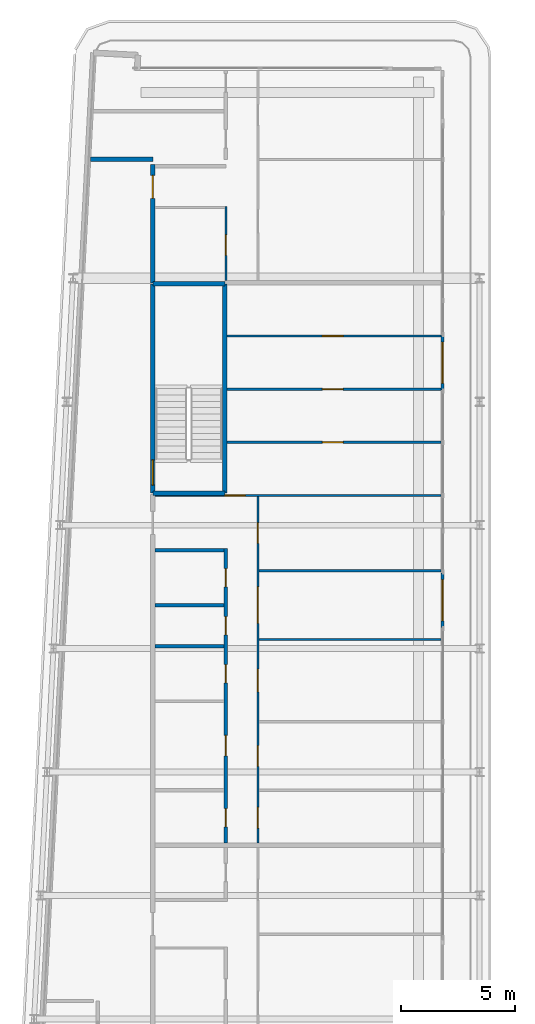
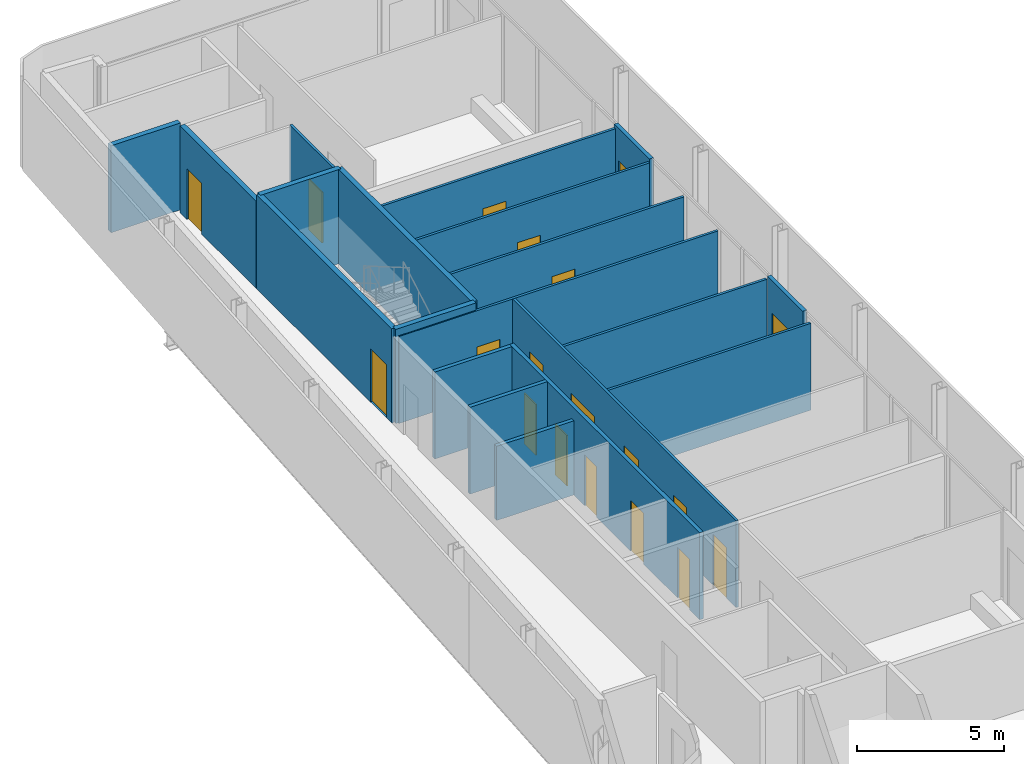
# One storey, part 14 of 21: 20 walls, 19 doors, 19 openings.
"""IFC4 building model written with IfcOpenShell, lengths in metres."""

from ifc_helpers import new_model, si_unit, direction, frame, frame_2d, origin, place, context, subcontext, project, spatial, rectangle, extrude, source, transform, mapped, material, layer, layer_set, type_object, element, fill, save


model = new_model("IFC4")

# Units and contexts
model_context = context("Model", 3, precision=1e-05, world=origin(), true_north=direction((0.0, 1.0)))
body_context = subcontext(model_context, "Body", "Model", "MODEL_VIEW")
ifc_project = project(units=[si_unit("LENGTHUNIT", "METRE"), si_unit("AREAUNIT", "SQUARE_METRE"), si_unit("VOLUMEUNIT", "CUBIC_METRE"), si_unit("PLANEANGLEUNIT", "RADIAN"), si_unit("MASSUNIT", "GRAM", prefix="KILO")], contexts=[model_context])

# Site, building, storey
site_placement = place(None, origin())
site = spatial("IfcSite", under=ifc_project, at=site_placement, CompositionType="ELEMENT")
building_placement = place(site_placement, origin())
building = spatial("IfcBuilding", under=site, at=building_placement, Name="Kheshtan School and Residences Tower", CompositionType="ELEMENT")
storey_placement = place(building_placement, frame((0.0, 0.0, 290.300048828125)))
storey = spatial("IfcBuildingStorey", under=building, at=storey_placement, Name="L68", CompositionType="ELEMENT", Elevation=290.300048828125)

# Wall
ifc_material_1 = material(Name="Gypsum board on steel studs with fire boards", Category="steel")
ifc_layer_1 = layer(ifc_material_1, 0.199951171875)
ifc_layer_set_1 = layer_set([ifc_layer_1], Name="Corridor wall 200")
wall_type_1 = type_object("IfcWallType", Name="Corridor wall 200", PredefinedType="PARTITIONING", material=ifc_layer_set_1)
wall_1_placement = place(storey_placement, frame((30.584716796875, 94.0, 0.0), z_axis=(0.0, 0.0, 1.0), x_axis=(1.0, 0.0, 0.0)))
element("IfcWall", 1, at=wall_1_placement, inside=storey, type_object=wall_type_1, Name="Partition L68-002", PredefinedType="PARTITIONING", context=body_context, shape_type="SweptSolid", body=[
    extrude(rectangle(XDim=2.71533203125, YDim=0.199951171875, at=frame_2d((1.357666015625, 0.0))), origin(), (0.0, 0.0, 1.0), 3.599853515625),
])

# Wall, opening, door
wall_2_placement = place(storey_placement, frame((33.300048828125, 88.60009765625, 0.0), z_axis=(0.0, 0.0, 1.0), x_axis=(0.0, 1.0, 0.0)))
wall_2 = element("IfcWall", 2, at=wall_2_placement, inside=storey, type_object=wall_type_1, Name="Partition L68-004", PredefinedType="PARTITIONING", context=body_context, shape_type="SweptSolid", body=[
    extrude(rectangle(XDim=5.1748046875, YDim=0.199951171875, at=frame_2d((2.58740234375, 0.0))), origin(), (0.0, 0.0, 1.0), 3.599853515625),
])
opening_1_placement = place(wall_2_placement, frame((3.699951171875, 0.0, 0.0)))
opening_1 = element("IfcOpeningElement", 3, at=opening_1_placement, cuts=wall_2, Name="Opening D68-033", PredefinedType="OPENING", context=body_context, shape_type="SweptSolid", body=[
    extrude(rectangle(XDim=1.0, YDim=2.10009765625, at=frame_2d((0.5, 1.050048828125))), frame((0.0, 0.10986328125, 0.0), z_axis=(0.0, -1.0, 0.0), x_axis=(1.0, 0.0, 0.0)), (0.0, 0.0, 1.0), 0.219970703125),
])
ifc_material_2 = material(Name="Steel-framed fire-resisting door leaf", Category="steel")
door_type_1 = type_object("IfcDoorType", Name="Fire door FD30S 1000 x 2100", OperationType="SINGLE_SWING_LEFT", PredefinedType="DOOR", material=ifc_material_2)
shared_shape_1 = source(origin(), body_context, "Body", "SweptSolid", [
    extrude(rectangle(XDim=1.0, YDim=2.10009765625, at=frame_2d((0.5, 1.050048828125))), frame((0.0, 0.02490234375, 0.0), z_axis=(0.0, -1.0, 0.0), x_axis=(1.0, 0.0, 0.0)), (0.0, 0.0, 1.0), 0.050048828125),
])
door_1_placement = place(opening_1_placement, origin())
door_1 = element("IfcDoor", 4, at=door_1_placement, inside=storey, type_object=door_type_1, Name="Door D68-033", OperationType="SINGLE_SWING_RIGHT", OverallHeight=2.10009765625, OverallWidth=1.0, PredefinedType="DOOR", context=body_context, shape_type="MappedRepresentation", body=[
    mapped(shared_shape_1, transform((0.0, 0.0, 0.0), x_axis=(1.0, 0.0, 0.0), y_axis=(0.0, 1.0, 0.0), z_axis=(0.0, 0.0, 1.0), scale=1.0)),
])
fill(opening_1, door_1)

ifc_material_3 = material(Name="Aluminium frame wall with insulated infill", Category="aluminium")
ifc_layer_2 = layer(ifc_material_3, 0.14990234375)
ifc_layer_set_2 = layer_set([ifc_layer_2], Name="Glazing frame wall 150")
wall_type_2 = type_object("IfcWallType", Name="Glazing frame wall 150", PredefinedType="SOLIDWALL", material=ifc_layer_set_2)
wall_3_placement = place(storey_placement, frame((45.97509765625, 86.305908203125, 0.0), z_axis=(0.0, 0.0, 1.0), x_axis=(0.0, -1.0, 0.0)))
wall_3 = element("IfcWall", 5, at=wall_3_placement, inside=storey, type_object=wall_type_2, Name="Balcony door wall L68 8.2", PredefinedType="SOLIDWALL", context=body_context, shape_type="SweptSolid", body=[
    extrude(rectangle(XDim=2.39990234375, YDim=0.14990234375, at=frame_2d((1.199951171875, 0.0))), origin(), (0.0, 0.0, 1.0), 3.75),
])
opening_2_placement = place(wall_3_placement, frame((0.300048828125, 0.0, 0.0)))
opening_2 = element("IfcOpeningElement", 6, at=opening_2_placement, cuts=wall_3, Name="Opening BD", PredefinedType="OPENING", context=body_context, shape_type="SweptSolid", body=[
    extrude(rectangle(XDim=1.800048828125, YDim=2.39990234375, at=frame_2d((0.89990234375, 1.199951171875))), frame((0.0, 0.0849609375, 0.0), z_axis=(0.0, -1.0, 0.0), x_axis=(1.0, 0.0, 0.0)), (0.0, 0.0, 1.0), 0.169921875),
])
ifc_material_4 = material(Name="Clear low-e glass in thermally broken aluminium frame", Category="aluminium")
door_type_2 = type_object("IfcDoorType", Name="Balcony sliding door", OperationType="SLIDING_TO_LEFT", PredefinedType="DOOR", material=ifc_material_4)
shared_shape_2 = source(origin(), body_context, "Body", "SweptSolid", [
    extrude(rectangle(XDim=1.800048828125, YDim=2.39990234375, at=frame_2d((0.89990234375, 1.199951171875))), frame((0.0, 0.02490234375, 0.0), z_axis=(0.0, -1.0, 0.0), x_axis=(1.0, 0.0, 0.0)), (0.0, 0.0, 1.0), 0.050048828125),
])
door_2_placement = place(opening_2_placement, origin())
door_2 = element("IfcDoor", 7, at=door_2_placement, inside=storey, type_object=door_type_2, Name="Balcony door L68 8.2", OperationType="SLIDING_TO_LEFT", OverallHeight=2.39990234375, OverallWidth=1.800048828125, PredefinedType="DOOR", context=body_context, shape_type="MappedRepresentation", body=[
    mapped(shared_shape_2, transform((0.0, 0.0, 0.0), x_axis=(1.0, 0.0, 0.0), y_axis=(0.0, 1.0, 0.0), z_axis=(0.0, 0.0, 1.0), scale=1.0)),
])
fill(opening_2, door_2)

wall_4_placement = place(storey_placement, frame((45.97509765625, 75.912109375, 0.0), z_axis=(0.0, 0.0, 1.0), x_axis=(0.0, -1.0, 0.0)))
wall_4 = element("IfcWall", 8, at=wall_4_placement, inside=storey, type_object=wall_type_2, Name="Balcony door wall L68 8.3", PredefinedType="SOLIDWALL", context=body_context, shape_type="SweptSolid", body=[
    extrude(rectangle(XDim=2.400146484375, YDim=0.14990234375, at=frame_2d((1.2001953125, 0.0))), origin(), (0.0, 0.0, 1.0), 3.75),
])
opening_3_placement = place(wall_4_placement, frame((0.300048828125, 0.0, 0.0)))
opening_3 = element("IfcOpeningElement", 9, at=opening_3_placement, cuts=wall_4, Name="Opening BD", PredefinedType="OPENING", context=body_context, shape_type="SweptSolid", body=[
    extrude(rectangle(XDim=1.800048828125, YDim=2.39990234375, at=frame_2d((0.89990234375, 1.199951171875))), frame((0.0, 0.0849609375, 0.0), z_axis=(0.0, -1.0, 0.0), x_axis=(1.0, 0.0, 0.0)), (0.0, 0.0, 1.0), 0.169921875),
])
door_3_placement = place(opening_3_placement, origin())
door_3 = element("IfcDoor", 10, at=door_3_placement, inside=storey, type_object=door_type_2, Name="Balcony door L68 8.3", OperationType="SLIDING_TO_LEFT", OverallHeight=2.39990234375, OverallWidth=1.800048828125, PredefinedType="DOOR", context=body_context, shape_type="MappedRepresentation", body=[
    mapped(shared_shape_2, transform((0.0, 0.0, 0.0), x_axis=(1.0, 0.0, 0.0), y_axis=(0.0, 1.0, 0.0), z_axis=(0.0, 0.0, 1.0), scale=1.0)),
])
fill(opening_3, door_3)

ifc_material_5 = material(Name="Gypsum board on steel studs", Category="steel")
ifc_layer_3 = layer(ifc_material_5, 0.10009765625)
ifc_layer_set_3 = layer_set([ifc_layer_3], Name="Gypsum partition 100")
wall_type_3 = type_object("IfcWallType", Name="Gypsum partition 100", PredefinedType="PARTITIONING", material=ifc_layer_set_3)
wall_5_placement = place(storey_placement, frame((33.39990234375, 79.300048828125, 0.0), z_axis=(0.0, 0.0, 1.0), x_axis=(1.0, 0.0, 0.0)))
wall_5 = element("IfcWall", 11, at=wall_5_placement, inside=storey, type_object=wall_type_3, Name="Partition L68-015", PredefinedType="PARTITIONING", context=body_context, shape_type="SweptSolid", body=[
    extrude(rectangle(XDim=12.5, YDim=0.10009765625, at=frame_2d((6.25, 0.0))), origin(), (0.0, 0.0, 1.0), 3.599853515625),
])
opening_4_placement = place(wall_5_placement, frame((3.052978515625, 0.0, 0.0)))
opening_4 = element("IfcOpeningElement", 12, at=opening_4_placement, cuts=wall_5, Name="Opening D68-027", PredefinedType="OPENING", context=body_context, shape_type="SweptSolid", body=[
    extrude(rectangle(XDim=0.89990234375, YDim=2.10009765625, at=frame_2d((0.449951171875, 1.050048828125))), frame((0.0, 0.06005859375, 0.0), z_axis=(0.0, -1.0, 0.0), x_axis=(1.0, 0.0, 0.0)), (0.0, 0.0, 1.0), 0.1201171875),
])
ifc_material_6 = material(Name="Veneered timber door leaf", Category="wood")
door_type_3 = type_object("IfcDoorType", Name="Door 900 x 2100", OperationType="SINGLE_SWING_LEFT", PredefinedType="DOOR", material=ifc_material_6)
shared_shape_3 = source(origin(), body_context, "Body", "SweptSolid", [
    extrude(rectangle(XDim=0.89990234375, YDim=2.10009765625, at=frame_2d((0.449951171875, 1.050048828125))), frame((0.0, 0.02490234375, 0.0), z_axis=(0.0, -1.0, 0.0), x_axis=(1.0, 0.0, 0.0)), (0.0, 0.0, 1.0), 0.050048828125),
])
door_4_placement = place(opening_4_placement, origin())
door_4 = element("IfcDoor", 13, at=door_4_placement, inside=storey, type_object=door_type_3, Name="Door D68-027", OperationType="SINGLE_SWING_LEFT", OverallHeight=2.10009765625, OverallWidth=0.89990234375, PredefinedType="DOOR", context=body_context, shape_type="MappedRepresentation", body=[
    mapped(shared_shape_3, transform((0.0, 0.0, 0.0), x_axis=(1.0, 0.0, 0.0), y_axis=(0.0, 1.0, 0.0), z_axis=(0.0, 0.0, 1.0), scale=1.0)),
])
fill(opening_4, door_4)

wall_6_placement = place(storey_placement, frame((36.5, 88.699951171875, 0.0), z_axis=(0.0, 0.0, 1.0), x_axis=(0.0, 1.0, 0.0)))
wall_6 = element("IfcWall", 14, at=wall_6_placement, inside=storey, type_object=wall_type_3, Name="Partition L68-025", PredefinedType="PARTITIONING", context=body_context, shape_type="SweptSolid", body=[
    extrude(rectangle(XDim=3.25, YDim=0.10009765625, at=frame_2d((1.625, 0.0))), origin(), (0.0, 0.0, 1.0), 3.599853515625),
])
opening_5_placement = place(wall_6_placement, frame((1.10009765625, 0.0, 0.0)))
opening_5 = element("IfcOpeningElement", 15, at=opening_5_placement, cuts=wall_6, Name="Opening D68-034", PredefinedType="OPENING", context=body_context, shape_type="SweptSolid", body=[
    extrude(rectangle(XDim=0.89990234375, YDim=2.10009765625, at=frame_2d((0.449951171875, 1.050048828125))), frame((0.0, 0.06005859375, 0.0), z_axis=(0.0, -1.0, 0.0), x_axis=(1.0, 0.0, 0.0)), (0.0, 0.0, 1.0), 0.1201171875),
])
door_5_placement = place(opening_5_placement, origin())
door_5 = element("IfcDoor", 16, at=door_5_placement, inside=storey, type_object=door_type_3, Name="Door D68-034", OperationType="SINGLE_SWING_LEFT", OverallHeight=2.10009765625, OverallWidth=0.89990234375, PredefinedType="DOOR", context=body_context, shape_type="MappedRepresentation", body=[
    mapped(shared_shape_3, transform((0.0, 0.0, 0.0), x_axis=(1.0, 0.0, 0.0), y_axis=(0.0, 1.0, 0.0), z_axis=(0.0, 0.0, 1.0), scale=1.0)),
])
fill(opening_5, door_5)

wall_7_placement = place(storey_placement, frame((36.549072265625, 81.625, 0.0), z_axis=(0.0, 0.0, 1.0), x_axis=(1.0, 0.0, 0.0)))
wall_7 = element("IfcWall", 17, at=wall_7_placement, inside=storey, type_object=wall_type_3, Name="Partition L68-027", PredefinedType="PARTITIONING", context=body_context, shape_type="SweptSolid", body=[
    extrude(rectangle(XDim=9.350830078125, YDim=0.10009765625, at=frame_2d((4.67529296875, 0.0))), origin(), (0.0, 0.0, 1.0), 3.599853515625),
])
opening_6_placement = place(wall_7_placement, frame((4.176025390625, 0.0, 0.0)))
opening_6 = element("IfcOpeningElement", 18, at=opening_6_placement, cuts=wall_7, Name="Opening D68-028", PredefinedType="OPENING", context=body_context, shape_type="SweptSolid", body=[
    extrude(rectangle(XDim=0.89990234375, YDim=2.10009765625, at=frame_2d((0.449951171875, 1.050048828125))), frame((0.0, 0.06005859375, 0.0), z_axis=(0.0, -1.0, 0.0), x_axis=(1.0, 0.0, 0.0)), (0.0, 0.0, 1.0), 0.1201171875),
])
door_6_placement = place(opening_6_placement, origin())
door_6 = element("IfcDoor", 19, at=door_6_placement, inside=storey, type_object=door_type_3, Name="Door D68-028", OperationType="SINGLE_SWING_RIGHT", OverallHeight=2.10009765625, OverallWidth=0.89990234375, PredefinedType="DOOR", context=body_context, shape_type="MappedRepresentation", body=[
    mapped(shared_shape_3, transform((0.0, 0.0, 0.0), x_axis=(1.0, 0.0, 0.0), y_axis=(0.0, 1.0, 0.0), z_axis=(0.0, 0.0, 1.0), scale=1.0)),
])
fill(opening_6, door_6)

wall_8_placement = place(storey_placement, frame((36.549072265625, 83.949951171875, 0.0), z_axis=(0.0, 0.0, 1.0), x_axis=(1.0, 0.0, 0.0)))
wall_8 = element("IfcWall", 20, at=wall_8_placement, inside=storey, type_object=wall_type_3, Name="Partition L68-028", PredefinedType="PARTITIONING", context=body_context, shape_type="SweptSolid", body=[
    extrude(rectangle(XDim=9.350830078125, YDim=0.10009765625, at=frame_2d((4.67529296875, 0.0))), origin(), (0.0, 0.0, 1.0), 3.599853515625),
])
opening_7_placement = place(wall_8_placement, frame((4.176025390625, 0.0, 0.0)))
opening_7 = element("IfcOpeningElement", 21, at=opening_7_placement, cuts=wall_8, Name="Opening D68-029", PredefinedType="OPENING", context=body_context, shape_type="SweptSolid", body=[
    extrude(rectangle(XDim=0.89990234375, YDim=2.10009765625, at=frame_2d((0.449951171875, 1.050048828125))), frame((0.0, 0.06005859375, 0.0), z_axis=(0.0, -1.0, 0.0), x_axis=(1.0, 0.0, 0.0)), (0.0, 0.0, 1.0), 0.1201171875),
])
door_7_placement = place(opening_7_placement, origin())
door_7 = element("IfcDoor", 22, at=door_7_placement, inside=storey, type_object=door_type_3, Name="Door D68-029", OperationType="SINGLE_SWING_RIGHT", OverallHeight=2.10009765625, OverallWidth=0.89990234375, PredefinedType="DOOR", context=body_context, shape_type="MappedRepresentation", body=[
    mapped(shared_shape_3, transform((0.0, 0.0, 0.0), x_axis=(1.0, 0.0, 0.0), y_axis=(0.0, 1.0, 0.0), z_axis=(0.0, 0.0, 1.0), scale=1.0)),
])
fill(opening_7, door_7)

wall_9_placement = place(storey_placement, frame((36.549072265625, 86.27490234375, 0.0), z_axis=(0.0, 0.0, 1.0), x_axis=(1.0, 0.0, 0.0)))
wall_9 = element("IfcWall", 23, at=wall_9_placement, inside=storey, type_object=wall_type_3, Name="Partition L68-029", PredefinedType="PARTITIONING", context=body_context, shape_type="SweptSolid", body=[
    extrude(rectangle(XDim=9.350830078125, YDim=0.10009765625, at=frame_2d((4.67529296875, 0.0))), origin(), (0.0, 0.0, 1.0), 3.599853515625),
])
opening_8_placement = place(wall_9_placement, frame((4.176025390625, 0.0, 0.0)))
opening_8 = element("IfcOpeningElement", 24, at=opening_8_placement, cuts=wall_9, Name="Opening D68-030", PredefinedType="OPENING", context=body_context, shape_type="SweptSolid", body=[
    extrude(rectangle(XDim=0.89990234375, YDim=2.10009765625, at=frame_2d((0.449951171875, 1.050048828125))), frame((0.0, 0.06005859375, 0.0), z_axis=(0.0, -1.0, 0.0), x_axis=(1.0, 0.0, 0.0)), (0.0, 0.0, 1.0), 0.1201171875),
])
door_8_placement = place(opening_8_placement, origin())
door_8 = element("IfcDoor", 25, at=door_8_placement, inside=storey, type_object=door_type_3, Name="Door D68-030", OperationType="SINGLE_SWING_RIGHT", OverallHeight=2.10009765625, OverallWidth=0.89990234375, PredefinedType="DOOR", context=body_context, shape_type="MappedRepresentation", body=[
    mapped(shared_shape_3, transform((0.0, 0.0, 0.0), x_axis=(1.0, 0.0, 0.0), y_axis=(0.0, 1.0, 0.0), z_axis=(0.0, 0.0, 1.0), scale=1.0)),
])
fill(opening_8, door_8)

# Wall, openings, doors
wall_10_placement = place(storey_placement, frame((37.89990234375, 64.10009765625, 0.0), z_axis=(0.0, 0.0, 1.0), x_axis=(0.0, 1.0, 0.0)))
wall_10 = element("IfcWall", 26, at=wall_10_placement, inside=storey, type_object=wall_type_3, Name="Partition L68-031", PredefinedType="PARTITIONING", context=body_context, shape_type="SweptSolid", body=[
    extrude(rectangle(XDim=15.14990234375, YDim=0.10009765625, at=frame_2d((7.574951171875, 0.0))), origin(), (0.0, 0.0, 1.0), 3.599853515625),
])
opening_9_placement = place(wall_10_placement, frame((0.64990234375, 0.0, 0.0)))
opening_9 = element("IfcOpeningElement", 27, at=opening_9_placement, cuts=wall_10, Name="Opening D68-018", PredefinedType="OPENING", context=body_context, shape_type="SweptSolid", body=[
    extrude(rectangle(XDim=0.89990234375, YDim=2.10009765625, at=frame_2d((0.449951171875, 1.050048828125))), frame((0.0, 0.06005859375, 0.0), z_axis=(0.0, -1.0, 0.0), x_axis=(1.0, 0.0, 0.0)), (0.0, 0.0, 1.0), 0.1201171875),
])
opening_10_placement = place(wall_10_placement, frame((3.35009765625, 0.0, 0.0)))
opening_10 = element("IfcOpeningElement", 28, at=opening_10_placement, cuts=wall_10, Name="Opening D68-019", PredefinedType="OPENING", context=body_context, shape_type="SweptSolid", body=[
    extrude(rectangle(XDim=0.89990234375, YDim=2.10009765625, at=frame_2d((0.449951171875, 1.050048828125))), frame((0.0, 0.06005859375, 0.0), z_axis=(0.0, -1.0, 0.0), x_axis=(1.0, 0.0, 0.0)), (0.0, 0.0, 1.0), 0.1201171875),
])
opening_11_placement = place(wall_10_placement, frame((6.60009765625, 0.0, 0.0)))
opening_11 = element("IfcOpeningElement", 29, at=opening_11_placement, cuts=wall_10, Name="Opening D68-023", PredefinedType="OPENING", context=body_context, shape_type="SweptSolid", body=[
    extrude(rectangle(XDim=1.0, YDim=2.10009765625, at=frame_2d((0.5, 1.050048828125))), frame((0.0, 0.06005859375, 0.0), z_axis=(0.0, -1.0, 0.0), x_axis=(1.0, 0.0, 0.0)), (0.0, 0.0, 1.0), 0.1201171875),
])
opening_12_placement = place(wall_10_placement, frame((9.60009765625, 0.0, 0.0)))
opening_12 = element("IfcOpeningElement", 30, at=opening_12_placement, cuts=wall_10, Name="Opening D68-024", PredefinedType="OPENING", context=body_context, shape_type="SweptSolid", body=[
    extrude(rectangle(XDim=1.60009765625, YDim=2.10009765625, at=frame_2d((0.800048828125, 1.050048828125))), frame((0.0, 0.06005859375, 0.0), z_axis=(0.0, -1.0, 0.0), x_axis=(1.0, 0.0, 0.0)), (0.0, 0.0, 1.0), 0.1201171875),
])
opening_13_placement = place(wall_10_placement, frame((13.10009765625, 0.0, 0.0)))
opening_13 = element("IfcOpeningElement", 31, at=opening_13_placement, cuts=wall_10, Name="Opening D68-025", PredefinedType="OPENING", context=body_context, shape_type="SweptSolid", body=[
    extrude(rectangle(XDim=0.89990234375, YDim=2.10009765625, at=frame_2d((0.449951171875, 1.050048828125))), frame((0.0, 0.06005859375, 0.0), z_axis=(0.0, -1.0, 0.0), x_axis=(1.0, 0.0, 0.0)), (0.0, 0.0, 1.0), 0.1201171875),
])
door_type_4 = type_object("IfcDoorType", Name="Door 1000 x 2100", OperationType="SINGLE_SWING_LEFT", PredefinedType="DOOR", material=ifc_material_6)
shared_shape_4 = source(origin(), body_context, "Body", "SweptSolid", [
    extrude(rectangle(XDim=1.0, YDim=2.10009765625, at=frame_2d((0.5, 1.050048828125))), frame((0.0, 0.02490234375, 0.0), z_axis=(0.0, -1.0, 0.0), x_axis=(1.0, 0.0, 0.0)), (0.0, 0.0, 1.0), 0.050048828125),
])
door_9_placement = place(opening_11_placement, origin())
door_9 = element("IfcDoor", 32, at=door_9_placement, inside=storey, type_object=door_type_4, Name="Door D68-023", OperationType="SINGLE_SWING_LEFT", OverallHeight=2.10009765625, OverallWidth=1.0, PredefinedType="DOOR", context=body_context, shape_type="MappedRepresentation", body=[
    mapped(shared_shape_4, transform((0.0, 0.0, 0.0), x_axis=(1.0, 0.0, 0.0), y_axis=(0.0, 1.0, 0.0), z_axis=(0.0, 0.0, 1.0), scale=1.0)),
])
fill(opening_11, door_9)
door_10_placement = place(opening_9_placement, origin())
door_10 = element("IfcDoor", 33, at=door_10_placement, inside=storey, type_object=door_type_3, Name="Door D68-018", OperationType="SINGLE_SWING_RIGHT", OverallHeight=2.10009765625, OverallWidth=0.89990234375, PredefinedType="DOOR", context=body_context, shape_type="MappedRepresentation", body=[
    mapped(shared_shape_3, transform((0.0, 0.0, 0.0), x_axis=(1.0, 0.0, 0.0), y_axis=(0.0, 1.0, 0.0), z_axis=(0.0, 0.0, 1.0), scale=1.0)),
])
fill(opening_9, door_10)
door_11_placement = place(opening_10_placement, origin())
door_11 = element("IfcDoor", 34, at=door_11_placement, inside=storey, type_object=door_type_3, Name="Door D68-019", OperationType="SINGLE_SWING_LEFT", OverallHeight=2.10009765625, OverallWidth=0.89990234375, PredefinedType="DOOR", context=body_context, shape_type="MappedRepresentation", body=[
    mapped(shared_shape_3, transform((0.0, 0.0, 0.0), x_axis=(1.0, 0.0, 0.0), y_axis=(0.0, 1.0, 0.0), z_axis=(0.0, 0.0, 1.0), scale=1.0)),
])
fill(opening_10, door_11)
door_12_placement = place(opening_13_placement, origin())
door_12 = element("IfcDoor", 35, at=door_12_placement, inside=storey, type_object=door_type_3, Name="Door D68-025", OperationType="SINGLE_SWING_RIGHT", OverallHeight=2.10009765625, OverallWidth=0.89990234375, PredefinedType="DOOR", context=body_context, shape_type="MappedRepresentation", body=[
    mapped(shared_shape_3, transform((0.0, 0.0, 0.0), x_axis=(1.0, 0.0, 0.0), y_axis=(0.0, 1.0, 0.0), z_axis=(0.0, 0.0, 1.0), scale=1.0)),
])
fill(opening_13, door_12)
door_type_5 = type_object("IfcDoorType", Name="Double door 1600 x 2100", OperationType="DOUBLE_DOOR_SINGLE_SWING", PredefinedType="DOOR", material=ifc_material_6)
shared_shape_5 = source(origin(), body_context, "Body", "SweptSolid", [
    extrude(rectangle(XDim=1.60009765625, YDim=2.10009765625, at=frame_2d((0.800048828125, 1.050048828125))), frame((0.0, 0.02490234375, 0.0), z_axis=(0.0, -1.0, 0.0), x_axis=(1.0, 0.0, 0.0)), (0.0, 0.0, 1.0), 0.050048828125),
])
door_13_placement = place(opening_12_placement, origin())
door_13 = element("IfcDoor", 36, at=door_13_placement, inside=storey, type_object=door_type_5, Name="Door D68-024", OperationType="DOUBLE_DOOR_SINGLE_SWING", OverallHeight=2.10009765625, OverallWidth=1.60009765625, PredefinedType="DOOR", context=body_context, shape_type="MappedRepresentation", body=[
    mapped(shared_shape_5, transform((0.0, 0.0, 0.0), x_axis=(1.0, 0.0, 0.0), y_axis=(0.0, 1.0, 0.0), z_axis=(0.0, 0.0, 1.0), scale=1.0)),
])
fill(opening_12, door_13)

# Walls
for number, where, z_axis, x_axis, name in (
    (37, (37.949951171875, 73.0, 0.0), (0.0, 0.0, 1.0), (1.0, 0.0, 0.0), "Partition L68-036"),
    (38, (37.949951171875, 76.0, 0.0), (0.0, 0.0, 1.0), (1.0, 0.0, 0.0), "Partition L68-037"),
):
    element("IfcWall", number, at=place(storey_placement, frame(where, z_axis=z_axis, x_axis=x_axis)), inside=storey, type_object=wall_type_3, Name=name, PredefinedType="PARTITIONING", context=body_context, shape_type="SweptSolid", body=[
        extrude(rectangle(XDim=7.949951171875, YDim=0.10009765625, at=frame_2d((3.97509765625, 0.0))), origin(), (0.0, 0.0, 1.0), 3.599853515625),
    ])
ifc_material_7 = material(Name="Concrete C40/50", Category="concrete")
ifc_layer_4 = layer(ifc_material_7, 0.199951171875)
ifc_layer_set_4 = layer_set([ifc_layer_4], Name="Stair enclosure wall 200 Concrete C40/50")
wall_type_4 = type_object("IfcWallType", Name="Stair enclosure wall 200 Concrete C40/50", PredefinedType="SHEAR", material=ifc_layer_set_4)
for number, where, z_axis, x_axis, name in (
    (39, (33.300048828125, 79.39990234375, 0.0), (0.0, 0.0, 1.0), (1.0, 0.0, 0.0), "Stair enclosure wall ST3"),
    (40, (33.300048828125, 88.56005859375, 0.0), (0.0, 0.0, 1.0), (1.0, 0.0, 0.0), "Stair enclosure wall ST3"),
):
    element("IfcWall", number, at=place(storey_placement, frame(where, z_axis=z_axis, x_axis=x_axis)), inside=storey, type_object=wall_type_4, Name=name, PredefinedType="SHEAR", context=body_context, shape_type="SweptSolid", body=[
        extrude(rectangle(XDim=3.14990234375, YDim=0.199951171875, at=frame_2d((1.574951171875, 0.0))), origin(), (0.0, 0.0, 1.0), 3.89990234375),
    ])

# Wall, opening, door
wall_11_placement = place(storey_placement, frame((33.300048828125, 79.39990234375, 0.0), z_axis=(0.0, 0.0, 1.0), x_axis=(0.0, 1.0, 0.0)))
wall_11 = element("IfcWall", 41, at=wall_11_placement, inside=storey, type_object=wall_type_4, Name="Stair enclosure wall ST3", PredefinedType="SHEAR", context=body_context, shape_type="SweptSolid", body=[
    extrude(rectangle(XDim=9.16015625, YDim=0.199951171875, at=frame_2d((4.580078125, 0.0))), origin(), (0.0, 0.0, 1.0), 3.89990234375),
])
opening_14_placement = place(wall_11_placement, frame((0.35009765625, 0.0, 0.0)))
opening_14 = element("IfcOpeningElement", 42, at=opening_14_placement, cuts=wall_11, Name="Opening ST3D", PredefinedType="OPENING", context=body_context, shape_type="SweptSolid", body=[
    extrude(rectangle(XDim=1.10009765625, YDim=2.199951171875, at=frame_2d((0.550048828125, 1.10009765625))), frame((0.0, 0.10986328125, 0.0), z_axis=(0.0, -1.0, 0.0), x_axis=(1.0, 0.0, 0.0)), (0.0, 0.0, 1.0), 0.219970703125),
])
ifc_material_8 = material(Name="Steel door leaf, galvanised", Category="steel")
door_type_6 = type_object("IfcDoorType", Name="Stair door 1100 steel 90 min", OperationType="SINGLE_SWING_LEFT", PredefinedType="DOOR", material=ifc_material_8)
shared_shape_6 = source(origin(), body_context, "Body", "SweptSolid", [
    extrude(rectangle(XDim=1.10009765625, YDim=2.199951171875, at=frame_2d((0.550048828125, 1.10009765625))), frame((0.0, 0.02490234375, 0.0), z_axis=(0.0, -1.0, 0.0), x_axis=(1.0, 0.0, 0.0)), (0.0, 0.0, 1.0), 0.050048828125),
])
door_14_placement = place(opening_14_placement, origin())
door_14 = element("IfcDoor", 43, at=door_14_placement, inside=storey, type_object=door_type_6, Name="Stair ST3 door", OperationType="SINGLE_SWING_RIGHT", OverallHeight=2.199951171875, OverallWidth=1.10009765625, PredefinedType="DOOR", context=body_context, shape_type="MappedRepresentation", body=[
    mapped(shared_shape_6, transform((0.0, 0.0, 0.0), x_axis=(1.0, 0.0, 0.0), y_axis=(0.0, 1.0, 0.0), z_axis=(0.0, 0.0, 1.0), scale=1.0)),
])
fill(opening_14, door_14)

# Walls
wall_12_placement = place(storey_placement, frame((36.449951171875, 79.39990234375, 0.0), z_axis=(0.0, 0.0, 1.0), x_axis=(0.0, 1.0, 0.0)))
element("IfcWall", 44, at=wall_12_placement, inside=storey, type_object=wall_type_4, Name="Stair enclosure wall ST3", PredefinedType="SHEAR", context=body_context, shape_type="SweptSolid", body=[
    extrude(rectangle(XDim=9.16015625, YDim=0.199951171875, at=frame_2d((4.580078125, 0.0))), origin(), (0.0, 0.0, 1.0), 3.89990234375),
])
ifc_material_9 = material(Name="Moisture-resistant gypsum board on steel studs", Category="steel")
ifc_layer_5 = layer(ifc_material_9, 0.14990234375)
ifc_layer_set_5 = layer_set([ifc_layer_5], Name="Wet-room partition 150")
wall_type_5 = type_object("IfcWallType", Name="Wet-room partition 150", PredefinedType="PARTITIONING", material=ifc_layer_set_5)
wall_13_placement = place(storey_placement, frame((33.39990234375, 72.699951171875, 0.0), z_axis=(0.0, 0.0, 1.0), x_axis=(1.0, 0.0, 0.0)))
element("IfcWall", 45, at=wall_13_placement, inside=storey, type_object=wall_type_5, Name="Partition L68-012", PredefinedType="PARTITIONING", context=body_context, shape_type="SweptSolid", body=[
    extrude(rectangle(XDim=3.025146484375, YDim=0.14990234375, at=frame_2d((1.5126953125, 0.0))), origin(), (0.0, 0.0, 1.0), 3.072021484375),
])
for number, where, z_axis, x_axis, name in (
    (46, (33.39990234375, 74.5, 0.0), (0.0, 0.0, 1.0), (1.0, 0.0, 0.0), "Partition L68-013"),
    (47, (33.39990234375, 76.89990234375, 0.0), (0.0, 0.0, 1.0), (1.0, 0.0, 0.0), "Partition L68-014"),
):
    element("IfcWall", number, at=place(storey_placement, frame(where, z_axis=z_axis, x_axis=x_axis)), inside=storey, type_object=wall_type_5, Name=name, PredefinedType="PARTITIONING", context=body_context, shape_type="SweptSolid", body=[
        extrude(rectangle(XDim=3.025146484375, YDim=0.14990234375, at=frame_2d((1.5126953125, 0.0))), origin(), (0.0, 0.0, 1.0), 3.599853515625),
    ])

# Wall, openings, doors
wall_14_placement = place(storey_placement, frame((36.5, 64.10009765625, 0.0), z_axis=(0.0, 0.0, 1.0), x_axis=(0.0, 1.0, 0.0)))
wall_14 = element("IfcWall", 48, at=wall_14_placement, inside=storey, type_object=wall_type_5, Name="Partition L68-024", PredefinedType="PARTITIONING", context=body_context, shape_type="SweptSolid", body=[
    extrude(rectangle(XDim=12.875, YDim=0.14990234375, at=frame_2d((6.4375, 0.0))), origin(), (0.0, 0.0, 1.0), 3.599853515625),
])
opening_15_placement = place(wall_14_placement, frame((0.699951171875, 0.0, 0.0)))
opening_15 = element("IfcOpeningElement", 49, at=opening_15_placement, cuts=wall_14, Name="Opening D68-016", PredefinedType="OPENING", context=body_context, shape_type="SweptSolid", body=[
    extrude(rectangle(XDim=0.800048828125, YDim=2.10009765625, at=frame_2d((0.39990234375, 1.050048828125))), frame((0.0, 0.0849609375, 0.0), z_axis=(0.0, -1.0, 0.0), x_axis=(1.0, 0.0, 0.0)), (0.0, 0.0, 1.0), 0.169921875),
])
opening_16_placement = place(wall_14_placement, frame((11.199951171875, 0.0, 0.0)))
opening_16 = element("IfcOpeningElement", 50, at=opening_16_placement, cuts=wall_14, Name="Opening D68-017", PredefinedType="OPENING", context=body_context, shape_type="SweptSolid", body=[
    extrude(rectangle(XDim=0.800048828125, YDim=2.10009765625, at=frame_2d((0.39990234375, 1.050048828125))), frame((0.0, 0.0849609375, 0.0), z_axis=(0.0, -1.0, 0.0), x_axis=(1.0, 0.0, 0.0)), (0.0, 0.0, 1.0), 0.169921875),
])
opening_17_placement = place(wall_14_placement, frame((7.0, 0.0, 0.0)))
opening_17 = element("IfcOpeningElement", 51, at=opening_17_placement, cuts=wall_14, Name="Opening D68-020", PredefinedType="OPENING", context=body_context, shape_type="SweptSolid", body=[
    extrude(rectangle(XDim=0.800048828125, YDim=2.10009765625, at=frame_2d((0.39990234375, 1.050048828125))), frame((0.0, 0.0849609375, 0.0), z_axis=(0.0, -1.0, 0.0), x_axis=(1.0, 0.0, 0.0)), (0.0, 0.0, 1.0), 0.169921875),
])
opening_18_placement = place(wall_14_placement, frame((3.800048828125, 0.0, 0.0)))
opening_18 = element("IfcOpeningElement", 52, at=opening_18_placement, cuts=wall_14, Name="Opening D68-022", PredefinedType="OPENING", context=body_context, shape_type="SweptSolid", body=[
    extrude(rectangle(XDim=0.89990234375, YDim=2.10009765625, at=frame_2d((0.449951171875, 1.050048828125))), frame((0.0, 0.0849609375, 0.0), z_axis=(0.0, -1.0, 0.0), x_axis=(1.0, 0.0, 0.0)), (0.0, 0.0, 1.0), 0.169921875),
])
opening_19_placement = place(wall_14_placement, frame((9.10009765625, 0.0, 0.0)))
opening_19 = element("IfcOpeningElement", 53, at=opening_19_placement, cuts=wall_14, Name="Opening D68-026", PredefinedType="OPENING", context=body_context, shape_type="SweptSolid", body=[
    extrude(rectangle(XDim=0.800048828125, YDim=2.10009765625, at=frame_2d((0.39990234375, 1.050048828125))), frame((0.0, 0.0849609375, 0.0), z_axis=(0.0, -1.0, 0.0), x_axis=(1.0, 0.0, 0.0)), (0.0, 0.0, 1.0), 0.169921875),
])
door_type_7 = type_object("IfcDoorType", Name="Door 800 x 2100", OperationType="SINGLE_SWING_LEFT", PredefinedType="DOOR", material=ifc_material_6)
shared_shape_7 = source(origin(), body_context, "Body", "SweptSolid", [
    extrude(rectangle(XDim=0.800048828125, YDim=2.10009765625, at=frame_2d((0.39990234375, 1.050048828125))), frame((0.0, 0.02490234375, 0.0), z_axis=(0.0, -1.0, 0.0), x_axis=(1.0, 0.0, 0.0)), (0.0, 0.0, 1.0), 0.050048828125),
])
door_15_placement = place(opening_15_placement, origin())
door_15 = element("IfcDoor", 54, at=door_15_placement, inside=storey, type_object=door_type_7, Name="Door D68-016", OperationType="SINGLE_SWING_LEFT", OverallHeight=2.10009765625, OverallWidth=0.800048828125, PredefinedType="DOOR", context=body_context, shape_type="MappedRepresentation", body=[
    mapped(shared_shape_7, transform((0.0, 0.0, 0.0), x_axis=(1.0, 0.0, 0.0), y_axis=(0.0, 1.0, 0.0), z_axis=(0.0, 0.0, 1.0), scale=1.0)),
])
fill(opening_15, door_15)
door_16_placement = place(opening_16_placement, origin())
door_16 = element("IfcDoor", 55, at=door_16_placement, inside=storey, type_object=door_type_7, Name="Door D68-017", OperationType="SINGLE_SWING_RIGHT", OverallHeight=2.10009765625, OverallWidth=0.800048828125, PredefinedType="DOOR", context=body_context, shape_type="MappedRepresentation", body=[
    mapped(shared_shape_7, transform((0.0, 0.0, 0.0), x_axis=(1.0, 0.0, 0.0), y_axis=(0.0, 1.0, 0.0), z_axis=(0.0, 0.0, 1.0), scale=1.0)),
])
fill(opening_16, door_16)
door_17_placement = place(opening_17_placement, origin())
door_17 = element("IfcDoor", 56, at=door_17_placement, inside=storey, type_object=door_type_7, Name="Door D68-020", OperationType="SINGLE_SWING_RIGHT", OverallHeight=2.10009765625, OverallWidth=0.800048828125, PredefinedType="DOOR", context=body_context, shape_type="MappedRepresentation", body=[
    mapped(shared_shape_7, transform((0.0, 0.0, 0.0), x_axis=(1.0, 0.0, 0.0), y_axis=(0.0, 1.0, 0.0), z_axis=(0.0, 0.0, 1.0), scale=1.0)),
])
fill(opening_17, door_17)
door_18_placement = place(opening_19_placement, origin())
door_18 = element("IfcDoor", 57, at=door_18_placement, inside=storey, type_object=door_type_7, Name="Door D68-026", OperationType="SINGLE_SWING_LEFT", OverallHeight=2.10009765625, OverallWidth=0.800048828125, PredefinedType="DOOR", context=body_context, shape_type="MappedRepresentation", body=[
    mapped(shared_shape_7, transform((0.0, 0.0, 0.0), x_axis=(1.0, 0.0, 0.0), y_axis=(0.0, 1.0, 0.0), z_axis=(0.0, 0.0, 1.0), scale=1.0)),
])
fill(opening_19, door_18)
door_19_placement = place(opening_18_placement, origin())
door_19 = element("IfcDoor", 58, at=door_19_placement, inside=storey, type_object=door_type_3, Name="Door D68-022", OperationType="SINGLE_SWING_RIGHT", OverallHeight=2.10009765625, OverallWidth=0.89990234375, PredefinedType="DOOR", context=body_context, shape_type="MappedRepresentation", body=[
    mapped(shared_shape_3, transform((0.0, 0.0, 0.0), x_axis=(1.0, 0.0, 0.0), y_axis=(0.0, 1.0, 0.0), z_axis=(0.0, 0.0, 1.0), scale=1.0)),
])
fill(opening_18, door_19)

save(model, "model.ifc")
